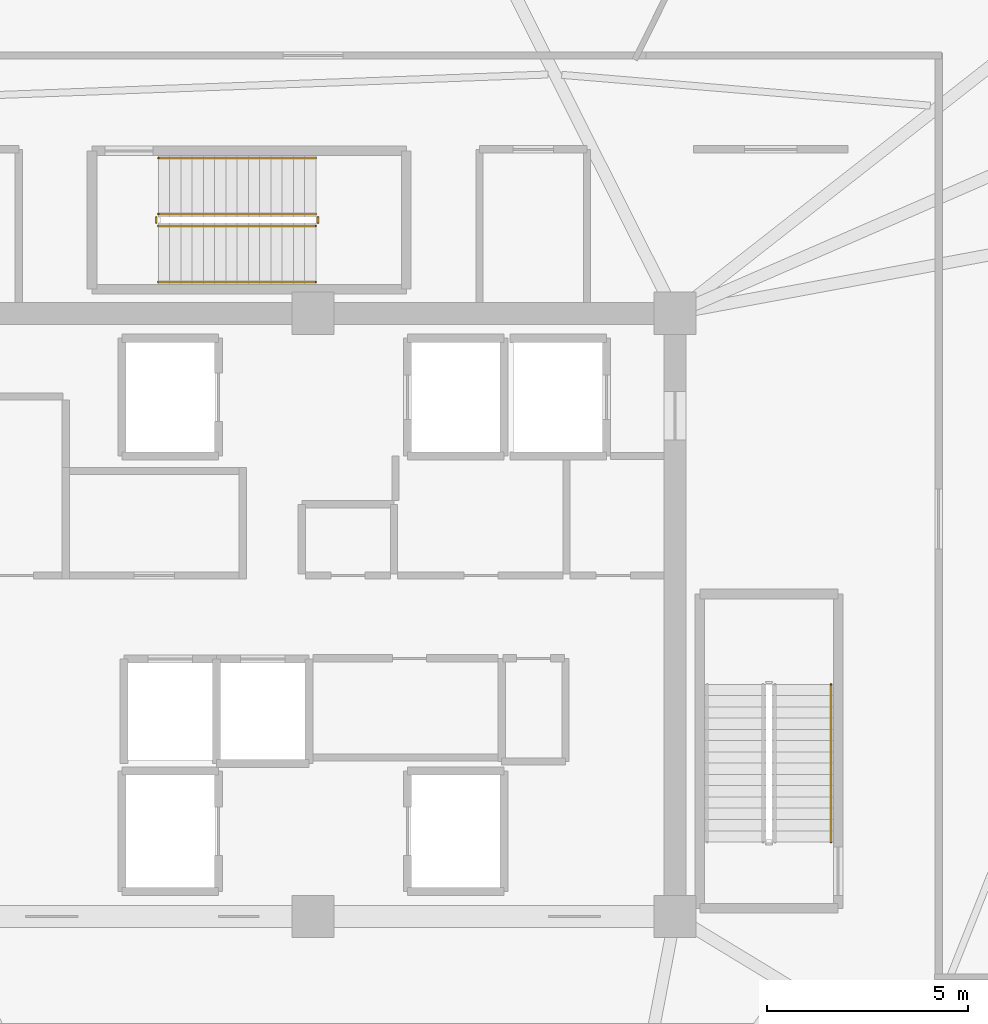
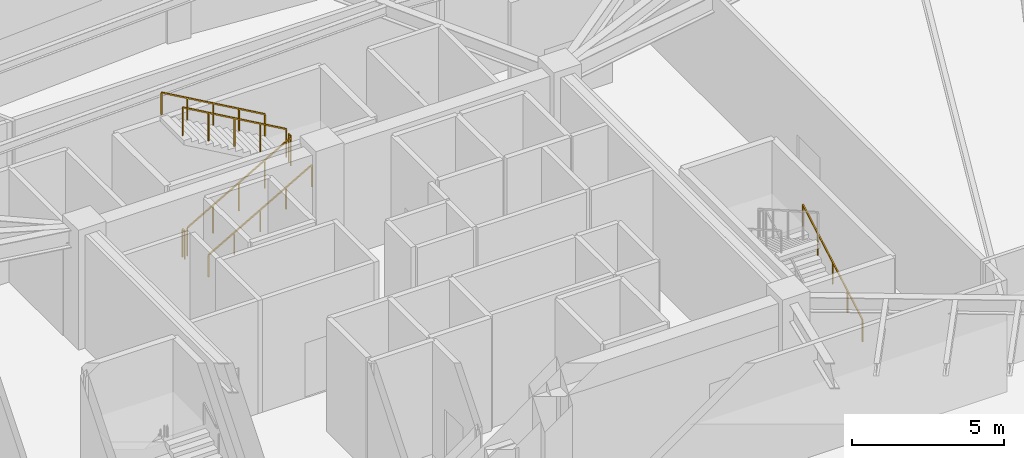
# One storey, part 40 of 40: 7 railings.
"""IFC4 building model written with IfcOpenShell, lengths in metres."""

from ifc_helpers import new_model, si_unit, direction, frame, origin, origin_2d, place, context, subcontext, project, spatial, rectangle, extrude, material, type_object, element, save


model = new_model("IFC4")

# Units and contexts
model_context = context("Model", 3, precision=1e-05, world=origin(), true_north=direction((0.0, 1.0)))
body_context = subcontext(model_context, "Body", "Model", "MODEL_VIEW")
ifc_project = project(units=[si_unit("LENGTHUNIT", "METRE"), si_unit("AREAUNIT", "SQUARE_METRE"), si_unit("VOLUMEUNIT", "CUBIC_METRE"), si_unit("PLANEANGLEUNIT", "RADIAN"), si_unit("MASSUNIT", "GRAM", prefix="KILO")], contexts=[model_context])

# Site, building, storey
site_placement = place(None, origin())
site = spatial("IfcSite", under=ifc_project, at=site_placement, CompositionType="ELEMENT")
building_placement = place(site_placement, origin())
building = spatial("IfcBuilding", under=site, at=building_placement, Name="Liaohun Quay Tower", CompositionType="ELEMENT")
storey_placement = place(building_placement, frame((0.0, 0.0, 351.0)))
storey = spatial("IfcBuildingStorey", under=building, at=storey_placement, Name="L91", CompositionType="ELEMENT", Elevation=351.0)

# Railings
ifc_material_1 = material(Name="Painted tubular steel", Category="steel")
railing_type_1 = type_object("IfcRailingType", Name="RLG-GUARD-STR", PredefinedType="GUARDRAIL", material=ifc_material_1)
railing_1_placement = place(storey_placement, frame((56.14990234375, 63.669921875, 0.159912109375)))
element("IfcRailing", 1, at=railing_1_placement, inside=storey, type_object=railing_type_1, Name="L91 ST-3 stair guard 1", PredefinedType="GUARDRAIL", context=body_context, shape_type="SweptSolid", body=[
    extrude(rectangle(XDim=0.048095703125, YDim=0.048095703125, at=origin_2d()), frame((0.0, 0.0, 1.1259765625), z_axis=(0.86825312469, 0.0, 0.496121468458), x_axis=(0.0, 1.0, 0.0)), (0.0, 0.0, 1.0), 4.514892578125),
    extrude(rectangle(XDim=0.0419921875, YDim=0.0419921875, at=origin_2d()), origin(), (0.0, 0.0, 1.0), 1.101806640625),
    extrude(rectangle(XDim=0.0419921875, YDim=0.0419921875, at=origin_2d()), frame((0.97998046875, 0.0, 0.56005859375)), (0.0, 0.0, 1.0), 1.101806640625),
    extrude(rectangle(XDim=0.0419921875, YDim=0.0419921875, at=origin_2d()), frame((1.9599609375, 0.0, 1.1201171875)), (0.0, 0.0, 1.0), 1.101806640625),
    extrude(rectangle(XDim=0.0419921875, YDim=0.0419921875, at=origin_2d()), frame((2.940185546875, 0.0, 1.679931640625)), (0.0, 0.0, 1.0), 1.101806640625),
    extrude(rectangle(XDim=0.0419921875, YDim=0.0419921875, at=origin_2d()), frame((3.920166015625, 0.0, 2.239990234375)), (0.0, 0.0, 1.0), 1.101806640625),
])
railing_2_placement = place(storey_placement, frame((60.1201171875, 63.75, 2.39990234375)))
element("IfcRailing", 2, at=railing_2_placement, inside=storey, type_object=railing_type_1, Name="L91 ST-3 stair guard 2", PredefinedType="GUARDRAIL", context=body_context, shape_type="SweptSolid", body=[
    extrude(rectangle(XDim=0.048095703125, YDim=0.048095703125, at=origin_2d()), frame((0.0, 0.0, 1.1259765625), z_axis=(0.0, 1.0, 0.0), x_axis=(-1.0, 0.0, 0.0)), (0.0, 0.0, 1.0), 0.139892578125),
    extrude(rectangle(XDim=0.0419921875, YDim=0.0419921875, at=origin_2d()), origin(), (0.0, 0.0, 1.0), 1.101806640625),
    extrude(rectangle(XDim=0.0419921875, YDim=0.0419921875, at=origin_2d()), frame((0.0, 0.139892578125, 0.0)), (0.0, 0.0, 1.0), 1.101806640625),
])
railing_3_placement = place(storey_placement, frame((60.070068359375, 63.969970703125, 2.56005859375)))
element("IfcRailing", 3, at=railing_3_placement, inside=storey, type_object=railing_type_1, Name="L91 ST-3 stair guard 3", PredefinedType="GUARDRAIL", context=body_context, shape_type="SweptSolid", body=[
    extrude(rectangle(XDim=0.048095703125, YDim=0.048095703125, at=origin_2d()), frame((0.0, 0.0, 1.1259765625), z_axis=(-0.86825312469, 0.0, 0.496121468458), x_axis=(0.0, -1.0, 0.0)), (0.0, 0.0, 1.0), 4.514892578125),
    extrude(rectangle(XDim=0.0419921875, YDim=0.0419921875, at=origin_2d()), origin(), (0.0, 0.0, 1.0), 1.101806640625),
    extrude(rectangle(XDim=0.0419921875, YDim=0.0419921875, at=origin_2d()), frame((-0.97998046875, 0.0, 0.56005859375)), (0.0, 0.0, 1.0), 1.101806640625),
    extrude(rectangle(XDim=0.0419921875, YDim=0.0419921875, at=origin_2d()), frame((-1.9599609375, 0.0, 1.1201171875)), (0.0, 0.0, 1.0), 1.101806640625),
    extrude(rectangle(XDim=0.0419921875, YDim=0.0419921875, at=origin_2d()), frame((-2.940185546875, 0.0, 1.679931640625)), (0.0, 0.0, 1.0), 1.101806640625),
    extrude(rectangle(XDim=0.0419921875, YDim=0.0419921875, at=origin_2d()), frame((-3.920166015625, 0.0, 2.239990234375)), (0.0, 0.0, 1.0), 1.101806640625),
])
railing_4_placement = place(storey_placement, frame((56.10009765625, 63.75, 0.0)))
element("IfcRailing", 4, at=railing_4_placement, inside=storey, type_object=railing_type_1, Name="L91 ST-3 stair guard 4", PredefinedType="GUARDRAIL", context=body_context, shape_type="SweptSolid", body=[
    extrude(rectangle(XDim=0.048095703125, YDim=0.048095703125, at=origin_2d()), frame((0.0, 0.0, 1.1259765625), z_axis=(0.0, 1.0, 0.0), x_axis=(-1.0, 0.0, 0.0)), (0.0, 0.0, 1.0), 0.139892578125),
    extrude(rectangle(XDim=0.0419921875, YDim=0.0419921875, at=origin_2d()), origin(), (0.0, 0.0, 1.0), 1.101806640625),
    extrude(rectangle(XDim=0.0419921875, YDim=0.0419921875, at=origin_2d()), frame((0.0, 0.139892578125, 0.0)), (0.0, 0.0, 1.0), 1.101806640625),
])
ifc_material_2 = material(Name="Brushed stainless steel", Category="steel")
railing_type_2 = type_object("IfcRailingType", Name="RLG-HND-STR", PredefinedType="HANDRAIL", material=ifc_material_2)
railing_5_placement = place(storey_placement, frame((72.8798828125, 48.35009765625, 0.159912109375)))
element("IfcRailing", 5, at=railing_5_placement, inside=storey, type_object=railing_type_2, Name="L91 ST-2 stair handrail 1", PredefinedType="HANDRAIL", context=body_context, shape_type="SweptSolid", body=[
    extrude(rectangle(XDim=0.048095703125, YDim=0.048095703125, at=origin_2d()), frame((0.0, 0.0, 0.8759765625), z_axis=(0.0, 0.868239814368, 0.496144761885), x_axis=(-1.0, 0.0, 0.0)), (0.0, 0.0, 1.0), 4.514892578125),
    extrude(rectangle(XDim=0.0419921875, YDim=0.0419921875, at=origin_2d()), origin(), (0.0, 0.0, 1.0), 0.851806640625),
    extrude(rectangle(XDim=0.0419921875, YDim=0.0419921875, at=origin_2d()), frame((0.0, 0.97998046875, 0.56005859375)), (0.0, 0.0, 1.0), 0.851806640625),
    extrude(rectangle(XDim=0.0419921875, YDim=0.0419921875, at=origin_2d()), frame((0.0, 1.9599609375, 1.1201171875)), (0.0, 0.0, 1.0), 0.851806640625),
    extrude(rectangle(XDim=0.0419921875, YDim=0.0419921875, at=origin_2d()), frame((0.0, 2.93994140625, 1.679931640625)), (0.0, 0.0, 1.0), 0.851806640625),
    extrude(rectangle(XDim=0.0419921875, YDim=0.0419921875, at=origin_2d()), frame((0.0, 3.919921875, 2.239990234375)), (0.0, 0.0, 1.0), 0.851806640625),
])
railing_6_placement = place(storey_placement, frame((56.14990234375, 62.280029296875, 0.159912109375)))
element("IfcRailing", 6, at=railing_6_placement, inside=storey, type_object=railing_type_2, Name="L91 ST-3 stair handrail 1", PredefinedType="HANDRAIL", context=body_context, shape_type="SweptSolid", body=[
    extrude(rectangle(XDim=0.048095703125, YDim=0.048095703125, at=origin_2d()), frame((0.0, 0.0, 0.8759765625), z_axis=(0.86825312469, 0.0, 0.496121468458), x_axis=(0.0, 1.0, 0.0)), (0.0, 0.0, 1.0), 4.514892578125),
    extrude(rectangle(XDim=0.0419921875, YDim=0.0419921875, at=origin_2d()), origin(), (0.0, 0.0, 1.0), 0.851806640625),
    extrude(rectangle(XDim=0.0419921875, YDim=0.0419921875, at=origin_2d()), frame((0.97998046875, 0.0, 0.56005859375)), (0.0, 0.0, 1.0), 0.851806640625),
    extrude(rectangle(XDim=0.0419921875, YDim=0.0419921875, at=origin_2d()), frame((1.9599609375, 0.0, 1.1201171875)), (0.0, 0.0, 1.0), 0.851806640625),
    extrude(rectangle(XDim=0.0419921875, YDim=0.0419921875, at=origin_2d()), frame((2.940185546875, 0.0, 1.679931640625)), (0.0, 0.0, 1.0), 0.851806640625),
    extrude(rectangle(XDim=0.0419921875, YDim=0.0419921875, at=origin_2d()), frame((3.920166015625, 0.0, 2.239990234375)), (0.0, 0.0, 1.0), 0.851806640625),
])
railing_7_placement = place(storey_placement, frame((60.070068359375, 65.360107421875, 2.56005859375)))
element("IfcRailing", 7, at=railing_7_placement, inside=storey, type_object=railing_type_2, Name="L91 ST-3 stair handrail 2", PredefinedType="HANDRAIL", context=body_context, shape_type="SweptSolid", body=[
    extrude(rectangle(XDim=0.048095703125, YDim=0.048095703125, at=origin_2d()), frame((0.0, 0.0, 0.8759765625), z_axis=(-0.86825312469, 0.0, 0.496121468458), x_axis=(0.0, -1.0, 0.0)), (0.0, 0.0, 1.0), 4.514892578125),
    extrude(rectangle(XDim=0.0419921875, YDim=0.0419921875, at=origin_2d()), origin(), (0.0, 0.0, 1.0), 0.851806640625),
    extrude(rectangle(XDim=0.0419921875, YDim=0.0419921875, at=origin_2d()), frame((-0.97998046875, 0.0, 0.56005859375)), (0.0, 0.0, 1.0), 0.851806640625),
    extrude(rectangle(XDim=0.0419921875, YDim=0.0419921875, at=origin_2d()), frame((-1.9599609375, 0.0, 1.1201171875)), (0.0, 0.0, 1.0), 0.851806640625),
    extrude(rectangle(XDim=0.0419921875, YDim=0.0419921875, at=origin_2d()), frame((-2.940185546875, 0.0, 1.679931640625)), (0.0, 0.0, 1.0), 0.851806640625),
    extrude(rectangle(XDim=0.0419921875, YDim=0.0419921875, at=origin_2d()), frame((-3.920166015625, 0.0, 2.239990234375)), (0.0, 0.0, 1.0), 0.851806640625),
])

save(model, "model.ifc")
